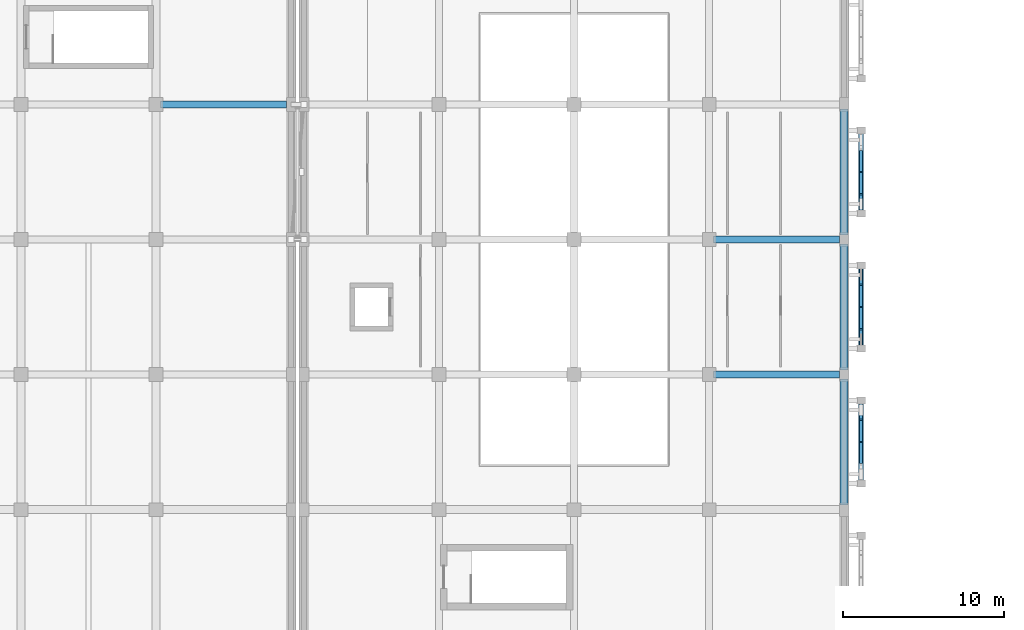
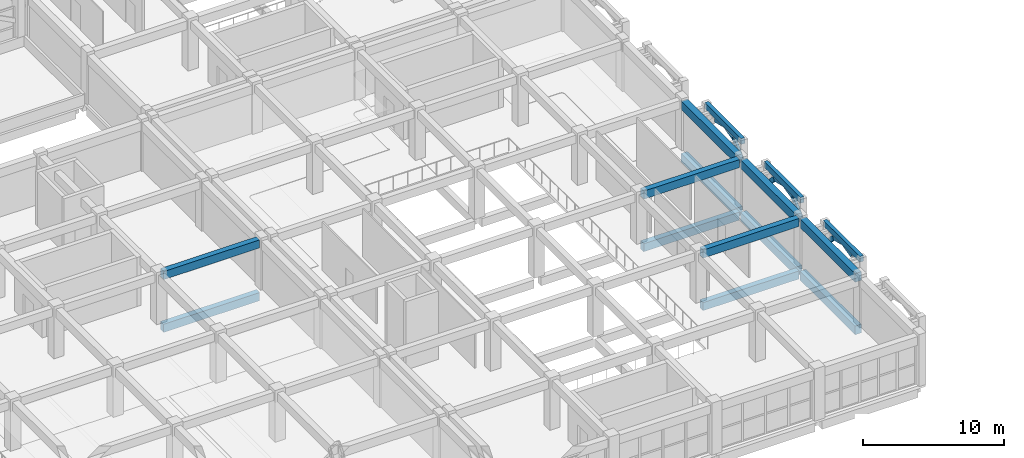
# One storey, part 33 of 129: 15 beams, 10 members.
"""IFC4 building model written with IfcOpenShell, lengths in metres."""

from ifc_helpers import new_model, si_unit, direction, frame, origin, origin_2d, place, context, subcontext, project, spatial, rectangle, extrude, material, material_profile, profile_set, type_object, element, save


model = new_model("IFC4")

# Units and contexts
model_context = context("Model", 3, precision=1e-05, world=origin(), true_north=direction((0.0, 1.0)))
body_context = subcontext(model_context, "Body", "Model", "MODEL_VIEW")
ifc_project = project(units=[si_unit("LENGTHUNIT", "METRE"), si_unit("AREAUNIT", "SQUARE_METRE"), si_unit("VOLUMEUNIT", "CUBIC_METRE"), si_unit("PLANEANGLEUNIT", "RADIAN"), si_unit("MASSUNIT", "GRAM", prefix="KILO")], contexts=[model_context])

# Site, building, storey
site_placement = place(None, origin())
site = spatial("IfcSite", under=ifc_project, at=site_placement, CompositionType="ELEMENT")
building_placement = place(site_placement, origin())
building = spatial("IfcBuilding", under=site, at=building_placement, Name="Xazarin Passage Department Store", CompositionType="ELEMENT")
storey_placement = place(building_placement, frame((0.0, 0.0, 9.89990234375)))
storey = spatial("IfcBuildingStorey", under=building, at=storey_placement, Name="L02", CompositionType="ELEMENT", Elevation=9.89990234375)

# Beams
ifc_material_1 = material(Name="Concrete C35/45", Category="concrete")
ifc_material_profile_1 = material_profile(ifc_material_1, rectangle(XDim=0.449951171875, YDim=0.699951171875, at=origin_2d()), Name="RC 450x700")
ifc_profile_set_1 = profile_set([ifc_material_profile_1], Name="Concrete C35/45")
beam_type_1 = type_object("IfcBeamType", Name="STR-BM-G450x700", PredefinedType="BEAM", material=ifc_profile_set_1)
for number, where, z_axis, x_axis, name in (
    (1, (93.47998046875, 16.800048828125, -0.64990234375), (1.0, 0.0, 0.0), (0.0, 1.0, 0.0), "L02 Grid Beam C/13-14"),
    (2, (93.47998046875, 25.199951171875, -0.64990234375), (1.0, 0.0, 0.0), (0.0, 1.0, 0.0), "L02 Grid Beam D/13-14"),
    (3, (93.47998046875, 16.800048828125, 3.89013671875), (1.0, 0.0, 0.0), (0.0, 1.0, 0.0), "L02 Grid Beam C/13-14"),
    (4, (93.47998046875, 25.199951171875, 3.89013671875), (1.0, 0.0, 0.0), (0.0, 1.0, 0.0), "L02 Grid Beam D/13-14"),
):
    element("IfcBeam", number, at=place(storey_placement, frame(where, z_axis=z_axis, x_axis=x_axis)), inside=storey, type_object=beam_type_1, Name=name, PredefinedType="BEAM", context=body_context, shape_type="SweptSolid", body=[
        extrude(rectangle(XDim=0.449951171875, YDim=0.699951171875, at=origin_2d()), origin(), (0.0, 0.0, 1.0), 7.840087890625),
    ])
for number, where, z_axis, x_axis, name in (
    (5, (59.080078125, 33.60009765625, -0.669921875), (1.0, 0.0, 0.0), (0.0, 1.0, 0.0), "L02 Grid Beam E/8-9"),
    (6, (59.080078125, 33.60009765625, 3.89013671875), (1.0, 0.0, 0.0), (0.0, 1.0, 0.0), "L02 Grid Beam E/8-9"),
):
    element("IfcBeam", number, at=place(storey_placement, frame(where, z_axis=z_axis, x_axis=x_axis)), inside=storey, type_object=beam_type_1, Name=name, PredefinedType="BEAM", context=body_context, shape_type="SweptSolid", body=[
        extrude(rectangle(XDim=0.449951171875, YDim=0.699951171875, at=origin_2d()), origin(), (0.0, 0.0, 1.0), 7.83984375),
    ])
ifc_material_profile_2 = material_profile(ifc_material_1, rectangle(XDim=0.300048828125, YDim=0.5, at=origin_2d()), Name="RC 300x500")
ifc_profile_set_2 = profile_set([ifc_material_profile_2], Name="Concrete C35/45")
beam_type_2 = type_object("IfcBeamType", Name="STR-BM-LN300x500", PredefinedType="LINTEL", material=ifc_profile_set_2)
beam_1_placement = place(storey_placement, frame((102.64990234375, 10.02001953125, 4.25), z_axis=(0.0, 1.0, 0.0), x_axis=(-1.0, 0.0, 0.0)))
element("IfcBeam", 7, at=beam_1_placement, inside=storey, type_object=beam_type_2, Name="L02 V2S Colonnade Spandrel Beam 019", PredefinedType="LINTEL", context=body_context, shape_type="SweptSolid", body=[
    extrude(rectangle(XDim=0.300048828125, YDim=0.5, at=origin_2d()), origin(), (0.0, 0.0, 1.0), 5.159912109375),
])
beam_2_placement = place(storey_placement, frame((102.64990234375, 18.419921875, 4.25), z_axis=(0.0, 1.0, 0.0), x_axis=(-1.0, 0.0, 0.0)))
element("IfcBeam", 8, at=beam_2_placement, inside=storey, type_object=beam_type_2, Name="L02 V2S Colonnade Spandrel Beam 020", PredefinedType="LINTEL", context=body_context, shape_type="SweptSolid", body=[
    extrude(rectangle(XDim=0.300048828125, YDim=0.5, at=origin_2d()), origin(), (0.0, 0.0, 1.0), 5.16015625),
])
beam_3_placement = place(storey_placement, frame((102.64990234375, 26.820068359375, 4.25), z_axis=(0.0, 1.0, 0.0), x_axis=(-1.0, 0.0, 0.0)))
element("IfcBeam", 9, at=beam_3_placement, inside=storey, type_object=beam_type_2, Name="L02 V2S Colonnade Spandrel Beam 021", PredefinedType="LINTEL", context=body_context, shape_type="SweptSolid", body=[
    extrude(rectangle(XDim=0.300048828125, YDim=0.5, at=origin_2d()), origin(), (0.0, 0.0, 1.0), 5.159912109375),
])
ifc_material_profile_3 = material_profile(ifc_material_1, rectangle(XDim=0.5, YDim=0.75, at=origin_2d()), Name="RC 500x750")
ifc_profile_set_3 = profile_set([ifc_material_profile_3], Name="Concrete C35/45")
beam_type_3 = type_object("IfcBeamType", Name="STR-BM-SP500x750", PredefinedType="SPANDREL", material=ifc_profile_set_3)
beam_4_placement = place(storey_placement, frame((101.60009765625, 8.679931640625, -0.6748046875), z_axis=(0.0, 1.0, 0.0), x_axis=(-1.0, 0.0, 0.0)))
element("IfcBeam", 10, at=beam_4_placement, inside=storey, type_object=beam_type_3, Name="L02 Grid Beam 14/B-C", PredefinedType="SPANDREL", context=body_context, shape_type="SweptSolid", body=[
    extrude(rectangle(XDim=0.5, YDim=0.75, at=origin_2d()), origin(), (0.0, 0.0, 1.0), 7.840087890625),
])
beam_5_placement = place(storey_placement, frame((101.60009765625, 17.080078125, -0.6748046875), z_axis=(0.0, 1.0, 0.0), x_axis=(-1.0, 0.0, 0.0)))
element("IfcBeam", 11, at=beam_5_placement, inside=storey, type_object=beam_type_3, Name="L02 Grid Beam 14/C-D", PredefinedType="SPANDREL", context=body_context, shape_type="SweptSolid", body=[
    extrude(rectangle(XDim=0.5, YDim=0.75, at=origin_2d()), origin(), (0.0, 0.0, 1.0), 7.83984375),
])
for number, where, z_axis, x_axis, name in (
    (12, (101.60009765625, 25.47998046875, -0.6748046875), (0.0, 1.0, 0.0), (-1.0, 0.0, 0.0), "L02 Grid Beam 14/D-E"),
    (13, (101.60009765625, 8.679931640625, 3.864990234375), (0.0, 1.0, 0.0), (-1.0, 0.0, 0.0), "L02 Grid Beam 14/B-C"),
):
    element("IfcBeam", number, at=place(storey_placement, frame(where, z_axis=z_axis, x_axis=x_axis)), inside=storey, type_object=beam_type_3, Name=name, PredefinedType="SPANDREL", context=body_context, shape_type="SweptSolid", body=[
        extrude(rectangle(XDim=0.5, YDim=0.75, at=origin_2d()), origin(), (0.0, 0.0, 1.0), 7.840087890625),
    ])
beam_6_placement = place(storey_placement, frame((101.60009765625, 17.080078125, 3.864990234375), z_axis=(0.0, 1.0, 0.0), x_axis=(-1.0, 0.0, 0.0)))
element("IfcBeam", 14, at=beam_6_placement, inside=storey, type_object=beam_type_3, Name="L02 Grid Beam 14/C-D", PredefinedType="SPANDREL", context=body_context, shape_type="SweptSolid", body=[
    extrude(rectangle(XDim=0.5, YDim=0.75, at=origin_2d()), origin(), (0.0, 0.0, 1.0), 7.83984375),
])
beam_7_placement = place(storey_placement, frame((101.60009765625, 25.47998046875, 3.864990234375), z_axis=(0.0, 1.0, 0.0), x_axis=(-1.0, 0.0, 0.0)))
element("IfcBeam", 15, at=beam_7_placement, inside=storey, type_object=beam_type_3, Name="L02 Grid Beam 14/D-E", PredefinedType="SPANDREL", context=body_context, shape_type="SweptSolid", body=[
    extrude(rectangle(XDim=0.5, YDim=0.75, at=origin_2d()), origin(), (0.0, 0.0, 1.0), 7.840087890625),
])

# Members
ifc_material_2 = material(Name="Concrete C40/50", Category="concrete")
ifc_material_profile_4 = material_profile(ifc_material_2, rectangle(XDim=0.199951171875, YDim=0.360107421875, at=origin_2d()), Name="RC 200x360")
ifc_profile_set_4 = profile_set([ifc_material_profile_4], Name="Concrete C40/50")
member_type = type_object("IfcMemberType", Name="STR-MEM-ARC360", PredefinedType="CHORD", material=ifc_profile_set_4)
member_1_placement = place(storey_placement, frame((102.64990234375, 11.31005859375, 3.7705078125), z_axis=(0.0, 0.972393983317, 0.233345111818), x_axis=(-1.0, 0.0, 0.0)))
element("IfcMember", 16, at=member_1_placement, inside=storey, type_object=member_type, Name="L02 V2S Pierced Lattice Curved Arch 019.2", PredefinedType="CHORD", context=body_context, shape_type="SweptSolid", body=[
    extrude(rectangle(XDim=0.199951171875, YDim=0.360107421875, at=origin_2d()), origin(), (0.0, 0.0, 1.0), 1.32666015625),
])
member_2_placement = place(storey_placement, frame((102.64990234375, 12.60009765625, 4.080078125), z_axis=(0.0, 0.972383960415, -0.233386875224), x_axis=(-1.0, 0.0, 0.0)))
element("IfcMember", 17, at=member_2_placement, inside=storey, type_object=member_type, Name="L02 V2S Pierced Lattice Curved Arch 019.3", PredefinedType="CHORD", context=body_context, shape_type="SweptSolid", body=[
    extrude(rectangle(XDim=0.199951171875, YDim=0.360107421875, at=origin_2d()), origin(), (0.0, 0.0, 1.0), 1.326416015625),
])
for number, where, z_axis, x_axis, name in (
    (18, (102.64990234375, 13.889892578125, 3.7705078125), (0.0, 0.693460080602, -0.720495049679), (-1.0, 0.0, 0.0), "L02 V2S Pierced Lattice Curved Arch 019.4"),
    (19, (102.64990234375, 18.419921875, 2.43017578125), (0.0, 0.693460080602, 0.720495049679), (-1.0, 0.0, 0.0), "L02 V2S Pierced Lattice Curved Arch 020.1"),
):
    element("IfcMember", number, at=place(storey_placement, frame(where, z_axis=z_axis, x_axis=x_axis)), inside=storey, type_object=member_type, Name=name, PredefinedType="CHORD", context=body_context, shape_type="SweptSolid", body=[
        extrude(rectangle(XDim=0.199951171875, YDim=0.360107421875, at=origin_2d()), origin(), (0.0, 0.0, 1.0), 1.8603515625),
    ])
for number, where, z_axis, x_axis, name in (
    (20, (102.64990234375, 19.7099609375, 3.7705078125), (0.0, 0.972393983317, 0.233345111818), (-1.0, 0.0, 0.0), "L02 V2S Pierced Lattice Curved Arch 020.2"),
    (21, (102.64990234375, 21.0, 4.080078125), (0.0, 0.972393983317, -0.233345111818), (-1.0, 0.0, 0.0), "L02 V2S Pierced Lattice Curved Arch 020.3"),
):
    element("IfcMember", number, at=place(storey_placement, frame(where, z_axis=z_axis, x_axis=x_axis)), inside=storey, type_object=member_type, Name=name, PredefinedType="CHORD", context=body_context, shape_type="SweptSolid", body=[
        extrude(rectangle(XDim=0.199951171875, YDim=0.360107421875, at=origin_2d()), origin(), (0.0, 0.0, 1.0), 1.32666015625),
    ])
for number, where, z_axis, x_axis, name in (
    (22, (102.64990234375, 22.2900390625, 3.7705078125), (0.0, 0.693460080602, -0.720495049679), (-1.0, 0.0, 0.0), "L02 V2S Pierced Lattice Curved Arch 020.4"),
    (23, (102.64990234375, 26.820068359375, 2.43017578125), (0.0, 0.693460080602, 0.720495049679), (-1.0, 0.0, 0.0), "L02 V2S Pierced Lattice Curved Arch 021.1"),
):
    element("IfcMember", number, at=place(storey_placement, frame(where, z_axis=z_axis, x_axis=x_axis)), inside=storey, type_object=member_type, Name=name, PredefinedType="CHORD", context=body_context, shape_type="SweptSolid", body=[
        extrude(rectangle(XDim=0.199951171875, YDim=0.360107421875, at=origin_2d()), origin(), (0.0, 0.0, 1.0), 1.8603515625),
    ])
member_3_placement = place(storey_placement, frame((102.64990234375, 28.110107421875, 3.7705078125), z_axis=(0.0, 0.972383960415, 0.233386875224), x_axis=(-1.0, 0.0, 0.0)))
element("IfcMember", 24, at=member_3_placement, inside=storey, type_object=member_type, Name="L02 V2S Pierced Lattice Curved Arch 021.2", PredefinedType="CHORD", context=body_context, shape_type="SweptSolid", body=[
    extrude(rectangle(XDim=0.199951171875, YDim=0.360107421875, at=origin_2d()), origin(), (0.0, 0.0, 1.0), 1.326416015625),
])
member_4_placement = place(storey_placement, frame((102.64990234375, 29.39990234375, 4.080078125), z_axis=(0.0, 0.972393983317, -0.233345111818), x_axis=(-1.0, 0.0, 0.0)))
element("IfcMember", 25, at=member_4_placement, inside=storey, type_object=member_type, Name="L02 V2S Pierced Lattice Curved Arch 021.3", PredefinedType="CHORD", context=body_context, shape_type="SweptSolid", body=[
    extrude(rectangle(XDim=0.199951171875, YDim=0.360107421875, at=origin_2d()), origin(), (0.0, 0.0, 1.0), 1.32666015625),
])

save(model, "model.ifc")
